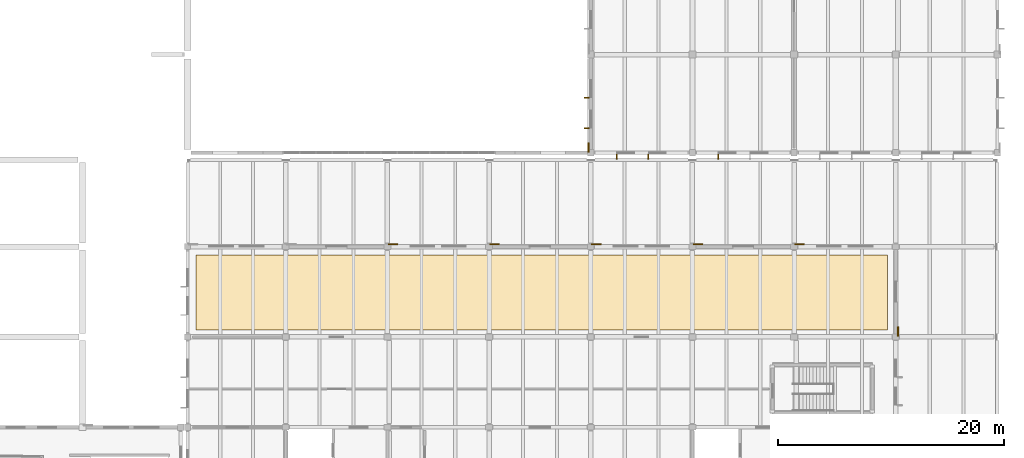
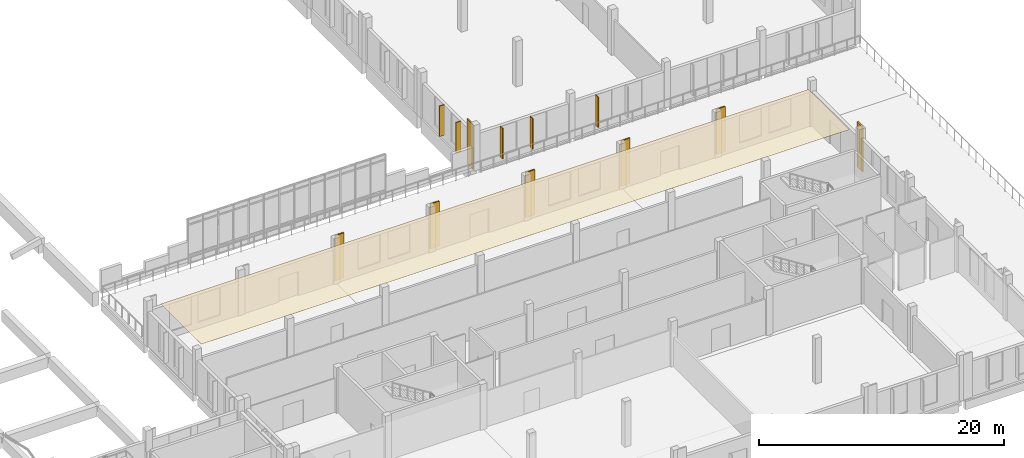
# One storey, part 60 of 63: 8 coverings, 5 shading devices.
"""IFC4 building model written with IfcOpenShell, lengths in metres."""

import ifcopenshell
import ifcopenshell.guid

model = None  # the IFC model being written
_history = None  # IfcOwnerHistory: only IFC2X3 demands one
_inside = {}  # id of a spatial element -> (the spatial element, [elements in it])
_under = {}  # id of a project, library or spatial element -> (it, [spatial elements below it])
_declared = {}  # id of a project -> (the project, [libraries it declares])
_typed = {}  # id of a type object -> (the type object, [elements of that type])
_made_of = {}  # id of a material, layer set ... -> (it, [elements and type objects made of it])


def new_model(schema):
    """Start an empty IFC model of exactly this schema.

    Asked for "IFC4X3", IfcOpenShell would pick the latest addendum, in which some entities
    have other attributes; the version numbers below select the first issue.
    IFC2X3 requires an IfcOwnerHistory on every rooted entity: one is made here for all.
    """
    global model, _history
    if schema == "IFC4X3":
        model = ifcopenshell.file(schema_version=(4, 3, 0, 0))
    else:
        model = ifcopenshell.file(schema=schema)
    _inside.clear()
    _under.clear()
    _declared.clear()
    _typed.clear()
    _made_of.clear()
    _history = None
    if model.schema == "IFC2X3":
        org = make("IfcOrganization", Name="unknown")
        user = make(
            "IfcPersonAndOrganization",
            ThePerson=make("IfcPerson", FamilyName="unknown"),
            TheOrganization=org,
        )
        app = make(
            "IfcApplication",
            ApplicationDeveloper=org,
            Version="unknown",
            ApplicationFullName="unknown",
            ApplicationIdentifier="unknown",
        )
        _history = make(
            "IfcOwnerHistory",
            OwningUser=user,
            OwningApplication=app,
            ChangeAction="ADDED",
            CreationDate=0,
        )
    return model


def make(cls, **values):
    """One entity of the class cls with the attributes given. An attribute that is None is left unset."""
    return model.create_entity(
        cls, **{name: value for name, value in values.items() if value is not None}
    )


def rooted(cls, **values):
    """An entity with a GlobalId (a new one), such as an element, a storey or a relation."""
    return make(cls, GlobalId=ifcopenshell.guid.new(), OwnerHistory=_history, **values)


def si_unit(unit_type, name, prefix=None):
    """IfcSIUnit, for example si_unit("LENGTHUNIT", "METRE", prefix="MILLI")."""
    return make("IfcSIUnit", UnitType=unit_type, Prefix=prefix, Name=name)


def assignment(units):
    """IfcUnitAssignment: the units of a project."""
    return None if units is None else make("IfcUnitAssignment", Units=units)


def point(xyz):
    """IfcCartesianPoint."""
    return None if xyz is None else make("IfcCartesianPoint", Coordinates=xyz)


def direction(xyz):
    """IfcDirection."""
    return None if xyz is None else make("IfcDirection", DirectionRatios=xyz)


def frame(location, z_axis=None, x_axis=None):
    """IfcAxis2Placement3D, a coordinate frame: its origin and axes. An axis left out is left unset."""
    return make(
        "IfcAxis2Placement3D",
        Location=point(location),
        Axis=direction(z_axis),
        RefDirection=direction(x_axis),
    )


def frame_2d(location, x_axis=None):
    """IfcAxis2Placement2D, a coordinate frame in the plane: its origin and x axis."""
    return make(
        "IfcAxis2Placement2D", Location=point(location), RefDirection=direction(x_axis)
    )


def origin():
    """The frame at (0, 0, 0) with its axes left unset."""
    return frame((0.0, 0.0, 0.0))


def origin_2d():
    """The frame at (0, 0) in the plane with its x axis left unset."""
    return frame_2d((0.0, 0.0))


def place(relative_to, where):
    """IfcLocalPlacement: puts the frame where relative to a parent placement (None: the world)."""
    return make(
        "IfcLocalPlacement", PlacementRelTo=relative_to, RelativePlacement=where
    )


def context(
    kind, dimensions, precision=None, world=None, true_north=None, identifier=None
):
    """IfcGeometricRepresentationContext, for example the 3D "Model" context."""
    return make(
        "IfcGeometricRepresentationContext",
        ContextIdentifier=identifier,
        ContextType=kind,
        CoordinateSpaceDimension=dimensions,
        Precision=precision,
        WorldCoordinateSystem=world,
        TrueNorth=true_north,
    )


def subcontext(parent, identifier, kind, view, scale=None):
    """IfcGeometricRepresentationSubContext, for example "Body" below "Model"."""
    return make(
        "IfcGeometricRepresentationSubContext",
        ContextIdentifier=identifier,
        ContextType=kind,
        ParentContext=parent,
        TargetScale=scale,
        TargetView=view,
    )


def project(units=None, contexts=None):
    """IfcProject with its units and contexts."""
    return rooted(
        "IfcProject",
        Name="project",
        RepresentationContexts=contexts,
        UnitsInContext=assignment(units),
    )


def spatial(cls, under=None, at=None, **own):
    """A site, building, storey or space (cls), placed at a placement, below another one or the project."""
    s = rooted(cls, ObjectPlacement=at, **own)
    if under is not None:
        _under.setdefault(under.id(), (under, []))[1].append(s)
    return s


def polyline(points):
    """IfcPolyline through the points."""
    return make("IfcPolyline", Points=[point(p) for p in points])


def profile(cls, at=None, kind="AREA", **sizes):
    """A parametric profile (cls). Its sizes go by their IFC names, for example OverallWidth=200.0."""
    return make(cls, ProfileType=kind, Position=at, **sizes)


def rectangle(**sizes):
    """IfcRectangleProfileDef."""
    return profile("IfcRectangleProfileDef", **sizes)


def outline(outer, holes=None, kind="AREA"):
    """IfcArbitraryClosedProfileDef: a profile drawn as a closed curve; with holes, ...WithVoids."""
    if holes is None:
        return make("IfcArbitraryClosedProfileDef", ProfileType=kind, OuterCurve=outer)
    return make(
        "IfcArbitraryProfileDefWithVoids",
        ProfileType=kind,
        OuterCurve=outer,
        InnerCurves=holes,
    )


def extrude(swept, where, along, depth):
    """IfcExtrudedAreaSolid: the profile swept, set in the frame where, extruded along a direction by depth."""
    return make(
        "IfcExtrudedAreaSolid",
        SweptArea=swept,
        Position=where,
        ExtrudedDirection=direction(along),
        Depth=depth,
    )


def shape(context_of_items, identifier, shape_type, items):
    """IfcShapeRepresentation: the items that make up one representation, for example the "Body"."""
    return make(
        "IfcShapeRepresentation",
        ContextOfItems=context_of_items,
        RepresentationIdentifier=identifier,
        RepresentationType=shape_type,
        Items=items,
    )


def material(Name=None, Category=None):
    """IfcMaterial."""
    return make("IfcMaterial", Name=Name, Category=Category)


def layer(
    of_material, thickness, ventilated=None, Name=None, Category=None, Priority=None
):
    """IfcMaterialLayer: one layer of a wall or slab, of a material (None: an air gap)."""
    return make(
        "IfcMaterialLayer",
        Material=of_material,
        LayerThickness=thickness,
        IsVentilated=ventilated,
        Name=Name,
        Category=Category,
        Priority=Priority,
    )


def layer_set(layers, Name=None):
    """IfcMaterialLayerSet."""
    return make("IfcMaterialLayerSet", MaterialLayers=layers, LayerSetName=Name)


def made_of(thing, what):
    """Note that an element or type object is made of a material, layer set ...; save() writes the relation."""
    if what is not None:
        _made_of.setdefault(what.id(), (what, []))[1].append(thing)
    return thing


def type_object(cls, material=None, **own):
    """A type object (cls), such as IfcWallType, which elements share."""
    return made_of(rooted(cls, **own), material)


def element(
    cls,
    number,
    at=None,
    inside=None,
    cuts=None,
    type_object=None,
    material=None,
    context=None,
    identifier="Body",
    shape_type=None,
    held_by="IfcProductDefinitionShape",
    body=None,
    shapes=None,
    **own,
):
    """One element of the class cls, such as IfcWall. Its Tag is "e" and its number.

    at: its placement. inside: the storey or other place that contains it. cuts: it is an
    opening in that element (IfcRelVoidsElement). A single representation is given by context,
    identifier, shape_type and body (its items); several are given by shapes. held_by: the class
    of the entity that holds the representations. save() writes the other relations.
    """
    e = rooted(cls, Tag="e%d" % number, ObjectPlacement=at, **own)
    if body is not None:
        shapes = [shape(context, identifier, shape_type, body)]
    if shapes is not None:
        e.Representation = make(held_by, Representations=shapes)
    if inside is not None:
        _inside.setdefault(inside.id(), (inside, []))[1].append(e)
    if cuts is not None:
        rooted(
            "IfcRelVoidsElement", RelatingBuildingElement=cuts, RelatedOpeningElement=e
        )
    if type_object is not None:
        _typed.setdefault(type_object.id(), (type_object, []))[1].append(e)
    return made_of(e, material)


def aggregate(whole, parts):
    """IfcRelAggregates: a whole, such as a stair, and the parts it consists of."""
    return rooted("IfcRelAggregates", RelatingObject=whole, RelatedObjects=parts)


def save(model, path):
    """Write the relations noted so far, then the file.

    IfcRelAggregates (storeys below a building ...), IfcRelContainedInSpatialStructure (elements
    in a storey), IfcRelDefinesByType, IfcRelAssociatesMaterial and IfcRelDeclares: one each for
    every whole, place, type object, material and project.
    """
    for whole, parts in _under.values():
        aggregate(whole, parts)
    for where, things in _inside.values():
        rooted(
            "IfcRelContainedInSpatialStructure",
            RelatedElements=things,
            RelatingStructure=where,
        )
    for kind, things in _typed.values():
        rooted("IfcRelDefinesByType", RelatedObjects=things, RelatingType=kind)
    for what, things in _made_of.values():
        rooted("IfcRelAssociatesMaterial", RelatedObjects=things, RelatingMaterial=what)
    for by, libraries in _declared.values():
        rooted("IfcRelDeclares", RelatingContext=by, RelatedDefinitions=libraries)
    model.write(path)


model = new_model("IFC4")

# Units and contexts
model_context = context("Model", 3, precision=1e-05, world=origin(), true_north=direction((0.0, 1.0)))
body_context = subcontext(model_context, "Body", "Model", "MODEL_VIEW")
ifc_project = project(units=[si_unit("LENGTHUNIT", "METRE"), si_unit("AREAUNIT", "SQUARE_METRE"), si_unit("VOLUMEUNIT", "CUBIC_METRE"), si_unit("PLANEANGLEUNIT", "RADIAN"), si_unit("MASSUNIT", "GRAM", prefix="KILO")], contexts=[model_context])

# Site, building, storey
site_placement = place(None, origin())
site = spatial("IfcSite", under=ifc_project, at=site_placement, CompositionType="ELEMENT")
building_placement = place(site_placement, origin())
building = spatial("IfcBuilding", under=site, at=building_placement, Name="Zacnel Wholesale Market", CompositionType="ELEMENT")
storey_placement = place(building_placement, frame((0.0, 0.0, 11.199951171875)))
storey = spatial("IfcBuildingStorey", under=building, at=storey_placement, Name="L03", CompositionType="ELEMENT", Elevation=11.199951171875)

# Coverings
ifc_material_1 = material(Name="Micro-perforated acoustic gypsum ceiling")
ifc_layer_1 = layer(ifc_material_1, 0.02001953125)
ifc_layer_set_1 = layer_set([ifc_layer_1], Name="Micro-perforated acoustic gypsum ceiling")
covering_type_1 = type_object("IfcCoveringType", Name="COV-CEIL-AC-20", PredefinedType="CEILING", material=ifc_layer_set_1)
covering_placement = place(storey_placement, frame((0.0, 0.0, 4.2099609375)))
element("IfcCovering", 1, at=covering_placement, inside=storey, type_object=covering_type_1, Name="Acoustic ceiling L03-510", PredefinedType="CEILING", context=body_context, shape_type="SweptSolid", body=[
    extrude(outline(polyline([(145.050048828125, 32.60009765625), (206.25, 32.60009765625), (206.25, 39.25), (145.050048828125, 39.25), (145.050048828125, 32.60009765625)])), origin(), (0.0, 0.0, 1.0), 0.02001953125),
])
ifc_material_2 = material(Name="Honed Yucatan Maya cream limestone", Category="masonry")
ifc_layer_2 = layer(ifc_material_2, 0.090087890625)
ifc_layer_set_2 = layer_set([ifc_layer_2], Name="Honed Yucatan Maya cream limestone")
covering_type_2 = type_object("IfcCoveringType", Name="COV-CLAD-FRET", PredefinedType="CLADDING", material=ifc_layer_set_2)
for number, where, z_axis, x_axis, name in (
    (2, (162.47998046875, 40.2099609375, 0.02001953125), (0.0, 0.0, 1.0), (1.0, 0.0, 0.0), "Fluted Mayan-Deco limestone pilaster L03-0202"),
    (3, (171.47998046875, 40.2099609375, 0.02001953125), (0.0, 0.0, 1.0), (1.0, 0.0, 0.0), "Fluted Mayan-Deco limestone pilaster L03-0203"),
    (4, (180.47998046875, 40.2099609375, 0.02001953125), (0.0, 0.0, 1.0), (1.0, 0.0, 0.0), "Fluted Mayan-Deco limestone pilaster L03-0204"),
    (5, (189.47998046875, 40.2099609375, 0.02001953125), (0.0, 0.0, 1.0), (1.0, 0.0, 0.0), "Fluted Mayan-Deco limestone pilaster L03-0205"),
    (6, (198.47998046875, 40.2099609375, 0.02001953125), (0.0, 0.0, 1.0), (1.0, 0.0, 0.0), "Fluted Mayan-Deco limestone pilaster L03-0206"),
    (7, (207.2099609375, 32.47998046875, 0.02001953125), (0.0, 0.0, 1.0), (0.0, 1.0, 0.0), "Fluted Mayan-Deco limestone pilaster L03-0211"),
    (8, (179.7900390625, 48.780029296875, 0.02001953125), (0.0, 0.0, 1.0), (0.0, 1.0, 0.0), "Fluted Mayan-Deco limestone pilaster L03-0228"),
):
    element("IfcCovering", number, at=place(storey_placement, frame(where, z_axis=z_axis, x_axis=x_axis)), inside=storey, type_object=covering_type_2, Name=name, PredefinedType="CLADDING", context=body_context, shape_type="SweptSolid", body=[
        extrude(rectangle(XDim=0.85009765625, YDim=0.1201171875, at=origin_2d()), origin(), (0.0, 0.0, 1.0), 4.510009765625),
    ])

# Shading devices
ifc_material_3 = material(Name="Honed Yucatan Maya cream limestone", Category="masonry")
shading_device_type = type_object("IfcShadingDeviceType", Name="SHD-FIN-V450", PredefinedType="USERDEFINED", material=ifc_material_3)
for number, where, z_axis, x_axis, name in (
    (9, (182.281982421875, 47.93994140625, 0.5048828125), (0.0, 0.0, 1.0), (1.0, 0.0, 0.0), "Limestone sunshade fin 0273"),
    (10, (185.097900390625, 47.93994140625, 0.5048828125), (0.0, 0.0, 1.0), (1.0, 0.0, 0.0), "Limestone sunshade fin 0274"),
    (11, (191.281982421875, 47.93994140625, 0.5048828125), (0.0, 0.0, 1.0), (1.0, 0.0, 0.0), "Limestone sunshade fin 0275"),
    (12, (179.639892578125, 50.472900390625, 0.455078125), (0.0, 0.0, 1.0), (0.0, 1.0, 0.0), "Limestone sunshade fin 0281"),
    (13, (179.639892578125, 53.181884765625, 0.455078125), (0.0, 0.0, 1.0), (0.0, 1.0, 0.0), "Limestone sunshade fin 0282"),
):
    element("IfcShadingDevice", number, at=place(storey_placement, frame(where, z_axis=z_axis, x_axis=x_axis)), inside=storey, type_object=shading_device_type, Name=name, ObjectType="SUNSHADE", PredefinedType="USERDEFINED", context=body_context, shape_type="SweptSolid", body=[
        extrude(rectangle(XDim=0.080078125, YDim=0.43994140625, at=origin_2d()), origin(), (0.0, 0.0, 1.0), 3.050048828125),
    ])

save(model, "model.ifc")
